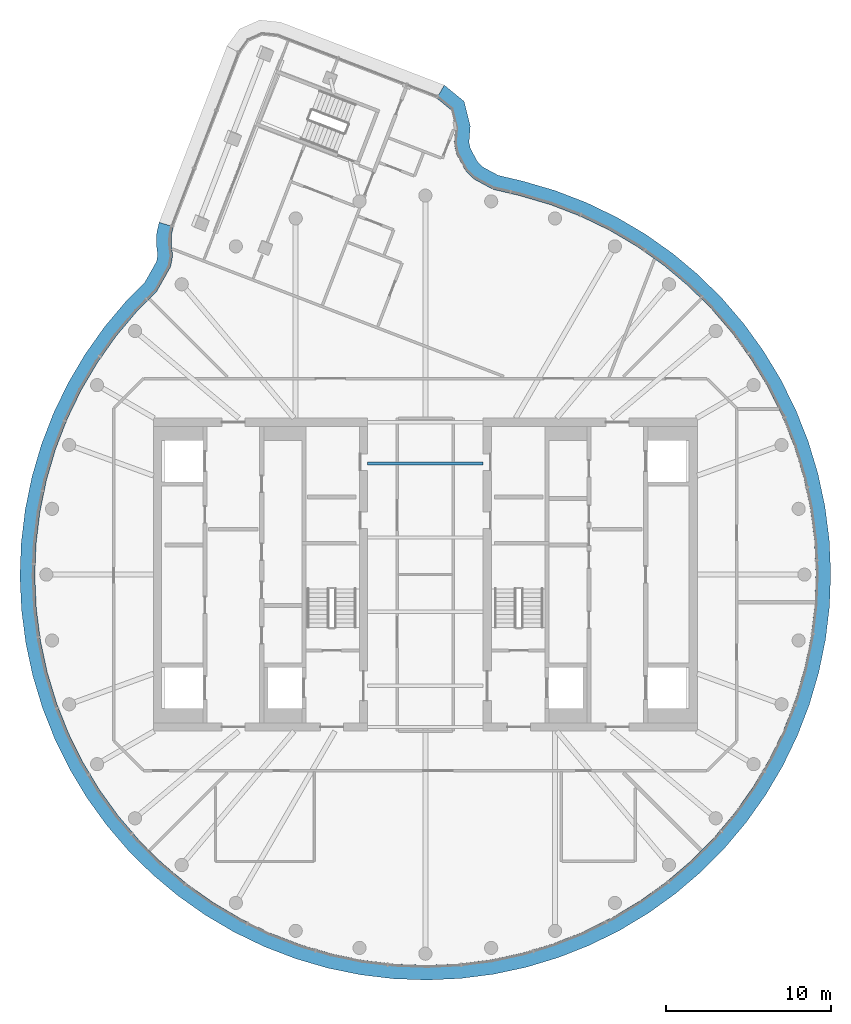
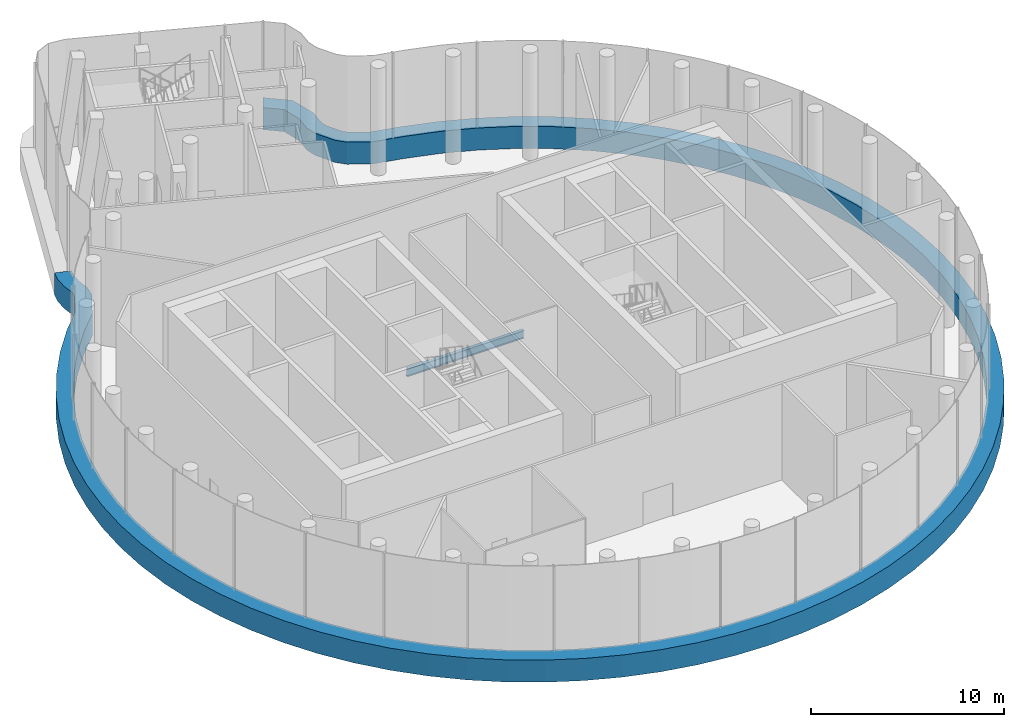
# One storey, part 3 of 12: 1 beam, 1 member, 1 element without a shape of its own.
"""IFC4 building model written with IfcOpenShell, lengths in metres."""

from ifc_helpers import new_model, si_unit, direction, frame, origin, origin_2d, place, context, subcontext, project, spatial, polyline, i_section, outline, extrude, material, layer, layer_set, material_profile, profile_set, type_object, element, aggregate, save


model = new_model("IFC4")

# Units and contexts
model_context = context("Model", 3, precision=1e-05, world=origin(), true_north=direction((0.0, 1.0)))
body_context = subcontext(model_context, "Body", "Model", "MODEL_VIEW")
ifc_project = project(units=[si_unit("LENGTHUNIT", "METRE"), si_unit("AREAUNIT", "SQUARE_METRE"), si_unit("VOLUMEUNIT", "CUBIC_METRE"), si_unit("PLANEANGLEUNIT", "RADIAN"), si_unit("MASSUNIT", "GRAM", prefix="KILO")], contexts=[model_context])

# Site, building, storey
site_placement = place(None, origin())
site = spatial("IfcSite", under=ifc_project, at=site_placement, CompositionType="ELEMENT")
building_placement = place(site_placement, origin())
building = spatial("IfcBuilding", under=site, at=building_placement, Name="Tamarind Cross Interchange Tower", CompositionType="ELEMENT")
storey_placement = place(building_placement, frame((0.0, 0.0, 287.39990234375)))
storey = spatial("IfcBuildingStorey", under=building, at=storey_placement, Name="L72", CompositionType="ELEMENT", Elevation=287.39990234375)

# Beam
ifc_material_1 = material(Name="Steel Q355B", Category="steel")
ifc_material_profile = material_profile(ifc_material_1, i_section(OverallWidth=0.198974609375, OverallDepth=0.49609375, WebThickness=0.009033203125, FlangeThickness=0.013916015625, FilletRadius=0.012939453125, at=origin_2d()), Name="HN 496x199x9x14")
ifc_profile_set = profile_set([ifc_material_profile], Name="Steel Q355B")
beam_type = type_object("IfcBeamType", Name="Composite beam HN 496x199x9x14 Q355B", PredefinedType="BEAM", material=ifc_profile_set)
beam_placement = place(storey_placement, frame((-3.5, 6.75, -0.447998046875), z_axis=(1.0, 0.0, 0.0), x_axis=(0.0, 1.0, 0.0)))
element("IfcBeam", 1, at=beam_placement, inside=storey, type_object=beam_type, Name="Beam G6.75", PredefinedType="BEAM", context=body_context, shape_type="SweptSolid", body=[
    extrude(i_section(OverallWidth=0.198974609375, OverallDepth=0.49609375, WebThickness=0.009033203125, FlangeThickness=0.013916015625, FilletRadius=0.012939453125, at=origin_2d()), origin(), (0.0, 0.0, 1.0), 7.0),
])

# Curtain wall, member
ifc_material_2 = material(Name="Aluminium 6063-T6", Category="aluminium")
ifc_layer = layer(ifc_material_2, 0.219970703125)
ifc_layer_set = layer_set([ifc_layer], Name="Aluminium 6063-T6")
curtain_wall_type = type_object("IfcCurtainWallType", Name="Observation deck curtain wall", PredefinedType="NOTDEFINED", material=ifc_layer_set)
curtain_wall_placement = place(storey_placement, origin())
curtain_wall = element("IfcCurtainWall", 2, at=curtain_wall_placement, inside=storey, type_object=curtain_wall_type, Name="CWS-L72-02", PredefinedType="NOTDEFINED")
ifc_material_3 = material(Name="Aluminium and insulated spandrel panel", Category="aluminium")
member_type = type_object("IfcMemberType", Name="Floor-edge blade transom", PredefinedType="USERDEFINED", material=ifc_material_3)
member_placement = place(storey_placement, origin())
member = element("IfcMember", 3, at=member_placement, type_object=member_type, Name="CWT-L72-02", ObjectType="TRANSOM", PredefinedType="USERDEFINED", context=body_context, shape_type="SweptSolid", body=[
    extrude(outline(polyline([(-15.289306640625, 21.1083984375), (-15.3994140625, 20.650390625), (-15.416015625, 20.064208984375), (-15.331787109375, 19.348876953125), (-15.454833984375, 18.685791015625), (-16.292724609375, 17.195556640625), (-17.50244140625, 15.9736328125), (-18.76171875, 14.4736328125), (-19.892822265625, 12.874755859375), (-20.88818359375, 11.188232421875), (-21.74072265625, 9.425048828125), (-22.444580078125, 7.597412109375), (-22.995361328125, 5.718017578125), (-23.38916015625, 3.799560546875), (-23.623046875, 1.855224609375), (-23.695556640625, -0.10205078125), (-23.606201171875, -2.058349609375), (-23.35546875, -4.000732421875), (-22.9453125, -5.915771484375), (-22.37841796875, -7.790283203125), (-21.65869140625, -9.61181640625), (-20.791015625, -11.367431640625), (-19.78125, -13.045654296875), (-18.636474609375, -14.634521484375), (-17.3642578125, -16.12353515625), (-15.973388671875, -17.50244140625), (-14.4736328125, -18.76171875), (-12.874755859375, -19.892822265625), (-11.188232421875, -20.88818359375), (-9.425048828125, -21.74072265625), (-7.597412109375, -22.444580078125), (-5.718017578125, -22.995361328125), (-3.799560546875, -23.38916015625), (-1.855224609375, -23.623046875), (0.10205078125, -23.695556640625), (2.058349609375, -23.606201171875), (4.000732421875, -23.35546875), (5.915771484375, -22.9453125), (7.790283203125, -22.37841796875), (9.61181640625, -21.65869140625), (11.367431640625, -20.791015625), (13.045654296875, -19.78125), (14.634521484375, -18.636474609375), (16.12353515625, -17.3642578125), (17.50244140625, -15.973388671875), (18.76171875, -14.4736328125), (19.892822265625, -12.874755859375), (20.88818359375, -11.188232421875), (21.74072265625, -9.425048828125), (22.444580078125, -7.597412109375), (22.995361328125, -5.718017578125), (23.38916015625, -3.799560546875), (23.623046875, -1.855224609375), (23.695556640625, 0.10205078125), (23.606201171875, 2.058349609375), (23.35546875, 4.000732421875), (22.9453125, 5.915771484375), (22.37841796875, 7.790283203125), (21.65869140625, 9.61181640625), (20.791015625, 11.367431640625), (19.78125, 13.045654296875), (18.636474609375, 14.634521484375), (17.3642578125, 16.12353515625), (15.973388671875, 17.50244140625), (14.4736328125, 18.76171875), (12.874755859375, 19.892822265625), (11.188232421875, 20.88818359375), (9.425048828125, 21.74072265625), (7.597412109375, 22.444580078125), (5.7138671875, 22.99658203125), (4.105712890625, 23.376708984375), (2.912841796875, 24.02099609375), (2.45654296875, 24.475830078125), (1.87646484375, 25.541748046875), (1.7421875, 26.171875), (1.817626953125, 27.12646484375), (1.551025390625, 28.20654296875), (0.691650390625, 28.91259765625), (1.150634765625, 29.700439453125), (2.353271484375, 28.712158203125), (2.72607421875, 27.200927734375), (2.649658203125, 26.2314453125), (2.7294921875, 25.857177734375), (3.1845703125, 25.02099609375), (3.45556640625, 24.750732421875), (4.428466796875, 24.22509765625), (5.94384765625, 23.8671875), (7.88623046875, 23.2978515625), (9.783203125, 22.567138671875), (11.613525390625, 21.68212890625), (13.3642578125, 20.64892578125), (15.023681640625, 19.474853515625), (16.580810546875, 18.167724609375), (18.0244140625, 16.736572265625), (19.344970703125, 15.19091796875), (20.533203125, 13.54150390625), (21.581298828125, 11.799560546875), (22.482177734375, 9.97705078125), (23.229248046875, 8.08642578125), (23.817626953125, 6.140625), (24.243408203125, 4.15283203125), (24.50341796875, 2.13671875), (24.59619140625, 0.10595703125), (24.52099609375, -1.925537109375), (24.2783203125, -3.944091796875), (23.86962890625, -5.935302734375), (23.2978515625, -7.88623046875), (22.567138671875, -9.783203125), (21.68212890625, -11.613525390625), (20.64892578125, -13.3642578125), (19.474853515625, -15.023681640625), (18.167724609375, -16.580810546875), (16.736572265625, -18.0244140625), (15.19091796875, -19.344970703125), (13.54150390625, -20.533203125), (11.799560546875, -21.581298828125), (9.97705078125, -22.482177734375), (8.08642578125, -23.229248046875), (6.140625, -23.817626953125), (4.15283203125, -24.243408203125), (2.13671875, -24.50341796875), (0.10595703125, -24.59619140625), (-1.925537109375, -24.52099609375), (-3.944091796875, -24.2783203125), (-5.935302734375, -23.86962890625), (-7.88623046875, -23.2978515625), (-9.783203125, -22.567138671875), (-11.613525390625, -21.68212890625), (-13.3642578125, -20.64892578125), (-15.023681640625, -19.474853515625), (-16.580810546875, -18.167724609375), (-18.0244140625, -16.736572265625), (-19.344970703125, -15.19091796875), (-20.533203125, -13.54150390625), (-21.581298828125, -11.799560546875), (-22.482177734375, -9.97705078125), (-23.229248046875, -8.08642578125), (-23.817626953125, -6.140625), (-24.243408203125, -4.15283203125), (-24.50341796875, -2.13671875), (-24.59619140625, -0.10595703125), (-24.52099609375, 1.925537109375), (-24.2783203125, 3.944091796875), (-23.86962890625, 5.935302734375), (-23.2978515625, 7.88623046875), (-22.567138671875, 9.783203125), (-21.68212890625, 11.613525390625), (-20.64892578125, 13.3642578125), (-19.474853515625, 15.023681640625), (-18.16796875, 16.58056640625), (-17.017822265625, 17.742431640625), (-16.3125, 18.996826171875), (-16.241455078125, 19.379150390625), (-16.317626953125, 20.02392578125), (-16.29638671875, 20.769775390625), (-16.150390625, 21.37646484375), (-15.289306640625, 21.1083984375)])), origin(), (0.0, 0.0, 1.0), 1.400146484375),
])
aggregate(curtain_wall, [member])

save(model, "model.ifc")
